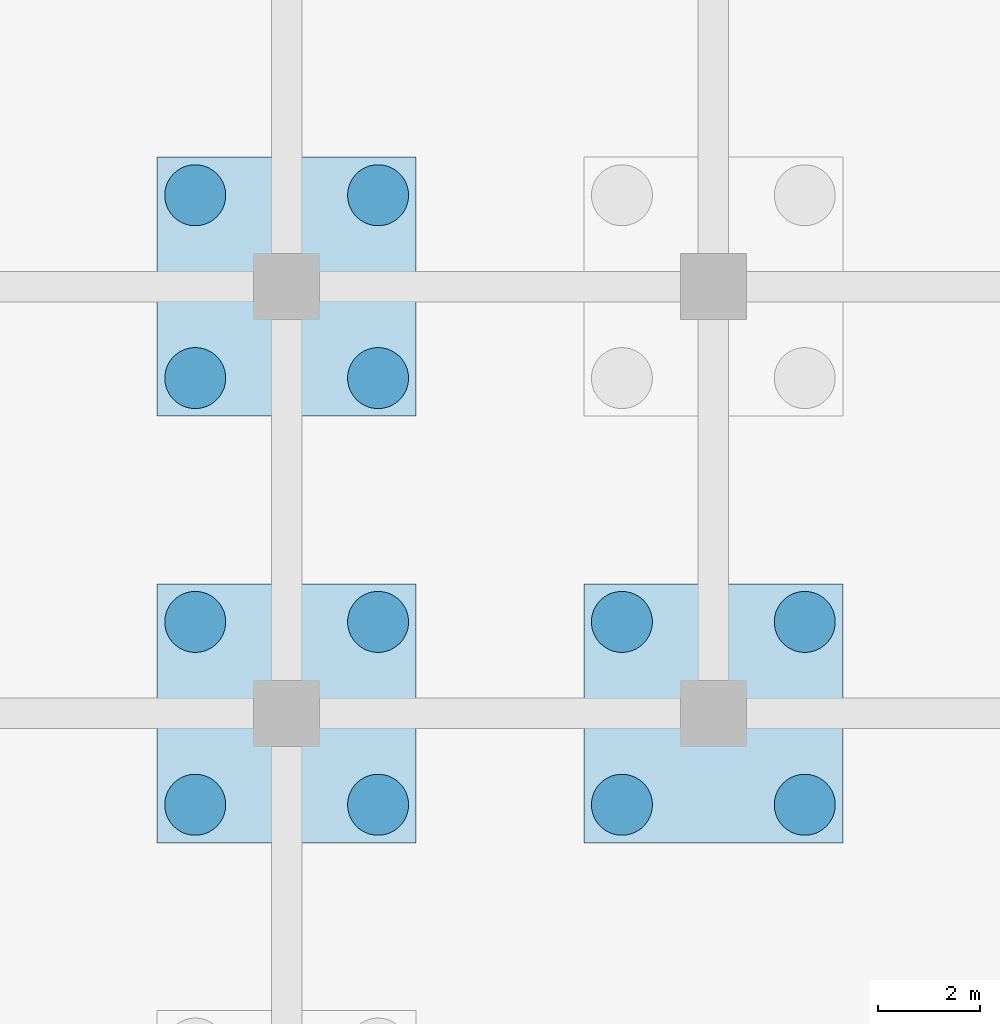
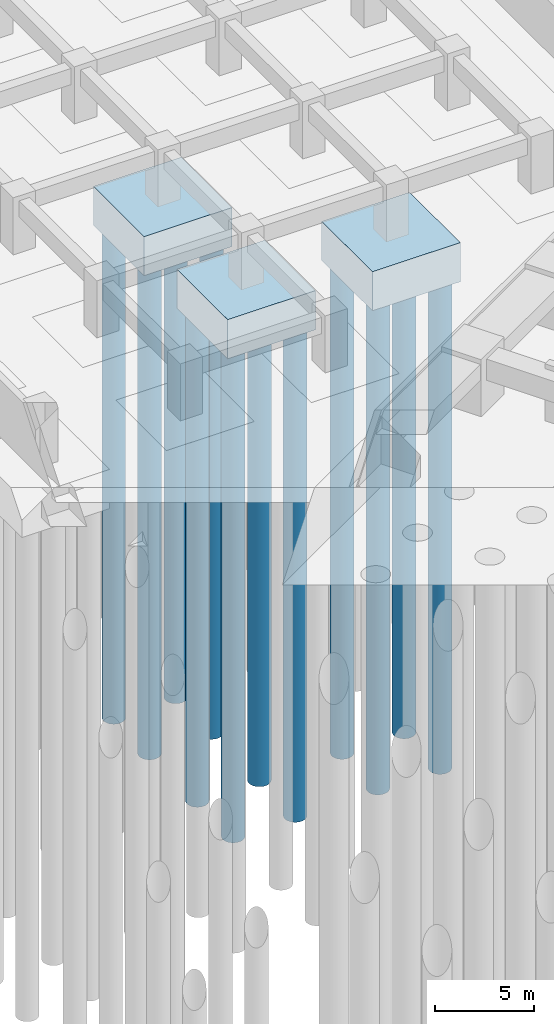
# One storey, part 14 of 73: 12 piles, 3 footings.
"""IFC4 building model written with IfcOpenShell, lengths in metres."""

from ifc_helpers import new_model, si_unit, direction, frame, origin, origin_2d, place, context, subcontext, project, spatial, polyline, circle, outline, extrude, material, material_profile, profile_set, type_object, element, save


model = new_model("IFC4")

# Units and contexts
model_context = context("Model", 3, precision=1e-05, world=origin(), true_north=direction((0.0, 1.0)))
body_context = subcontext(model_context, "Body", "Model", "MODEL_VIEW")
ifc_project = project(units=[si_unit("LENGTHUNIT", "METRE"), si_unit("AREAUNIT", "SQUARE_METRE"), si_unit("VOLUMEUNIT", "CUBIC_METRE"), si_unit("PLANEANGLEUNIT", "RADIAN"), si_unit("MASSUNIT", "GRAM", prefix="KILO")], contexts=[model_context])

# Site, building, storey
site_placement = place(None, origin())
site = spatial("IfcSite", under=ifc_project, at=site_placement, CompositionType="ELEMENT")
building_placement = place(site_placement, origin())
building = spatial("IfcBuilding", under=site, at=building_placement, Name="Impinga Residences", CompositionType="ELEMENT")
storey_placement = place(building_placement, frame((0.0, 0.0, -10.5)))
storey = spatial("IfcBuildingStorey", under=building, at=storey_placement, Name="B3", CompositionType="ELEMENT", Elevation=-10.5)

# Piles
ifc_material_1 = material(Name="Concrete C35/45", Category="concrete")
ifc_material_profile = material_profile(ifc_material_1, circle(Radius=0.60009765625, at=origin_2d()), Name="D1200")
ifc_profile_set = profile_set([ifc_material_profile], Name="Concrete C35/45")
pile_type = type_object("IfcPileType", Name="BP2 bored pile D1200", PredefinedType="BORED", material=ifc_profile_set)
pile_1_placement = place(storey_placement, frame((-35.39990234375, 6.60009765625, -2.39990234375), z_axis=(0.0, 0.0, -1.0), x_axis=(1.0, 0.0, 0.0)))
element("IfcPile", 1, at=pile_1_placement, inside=storey, type_object=pile_type, Name="Cap pile BP2 3/G-1", PredefinedType="BORED", context=body_context, shape_type="SweptSolid", body=[
    extrude(outline(polyline([(0.60009765625, 0.0), (0.59716796875, 0.058837890625), (0.58837890625, 0.116943359375), (0.57421875, 0.174072265625), (0.554443359375, 0.2294921875), (0.529052734375, 0.282958984375), (0.498779296875, 0.333251953125), (0.4638671875, 0.380615234375), (0.42431640625, 0.42431640625), (0.380615234375, 0.4638671875), (0.333251953125, 0.498779296875), (0.282958984375, 0.529052734375), (0.2294921875, 0.554443359375), (0.174072265625, 0.57421875), (0.116943359375, 0.58837890625), (0.058837890625, 0.59716796875), (0.0, 0.60009765625), (-0.058837890625, 0.59716796875), (-0.116943359375, 0.58837890625), (-0.174072265625, 0.57421875), (-0.2294921875, 0.554443359375), (-0.282958984375, 0.529052734375), (-0.333251953125, 0.498779296875), (-0.380615234375, 0.4638671875), (-0.42431640625, 0.42431640625), (-0.4638671875, 0.380615234375), (-0.498779296875, 0.333251953125), (-0.529052734375, 0.282958984375), (-0.554443359375, 0.2294921875), (-0.57421875, 0.174072265625), (-0.58837890625, 0.116943359375), (-0.59716796875, 0.058837890625), (-0.60009765625, 0.0), (-0.59716796875, -0.058837890625), (-0.58837890625, -0.116943359375), (-0.57421875, -0.174072265625), (-0.554443359375, -0.2294921875), (-0.529052734375, -0.282958984375), (-0.498779296875, -0.333251953125), (-0.4638671875, -0.380615234375), (-0.42431640625, -0.42431640625), (-0.380615234375, -0.4638671875), (-0.333251953125, -0.498779296875), (-0.282958984375, -0.529052734375), (-0.2294921875, -0.554443359375), (-0.174072265625, -0.57421875), (-0.116943359375, -0.58837890625), (-0.058837890625, -0.59716796875), (0.0, -0.60009765625), (0.058837890625, -0.59716796875), (0.116943359375, -0.58837890625), (0.174072265625, -0.57421875), (0.2294921875, -0.554443359375), (0.282958984375, -0.529052734375), (0.333251953125, -0.498779296875), (0.380615234375, -0.4638671875), (0.42431640625, -0.42431640625), (0.4638671875, -0.380615234375), (0.498779296875, -0.333251953125), (0.529052734375, -0.282958984375), (0.554443359375, -0.2294921875), (0.57421875, -0.174072265625), (0.58837890625, -0.116943359375), (0.59716796875, -0.058837890625), (0.60009765625, 0.0)])), origin(), (0.0, 0.0, 1.0), 30.0),
])
pile_2_placement = place(storey_placement, frame((-31.800048828125, 6.60009765625, -2.39990234375), z_axis=(0.0, 0.0, -1.0), x_axis=(1.0, 0.0, 0.0)))
element("IfcPile", 2, at=pile_2_placement, inside=storey, type_object=pile_type, Name="Cap pile BP2 3/G-2", PredefinedType="BORED", context=body_context, shape_type="SweptSolid", body=[
    extrude(outline(polyline([(0.60009765625, 0.0), (0.59716796875, 0.058837890625), (0.58837890625, 0.116943359375), (0.57421875, 0.174072265625), (0.554443359375, 0.2294921875), (0.529052734375, 0.282958984375), (0.498779296875, 0.333251953125), (0.4638671875, 0.380615234375), (0.42431640625, 0.42431640625), (0.380615234375, 0.4638671875), (0.333251953125, 0.498779296875), (0.282958984375, 0.529052734375), (0.2294921875, 0.554443359375), (0.174072265625, 0.57421875), (0.116943359375, 0.58837890625), (0.058837890625, 0.59716796875), (0.0, 0.60009765625), (-0.058837890625, 0.59716796875), (-0.116943359375, 0.58837890625), (-0.174072265625, 0.57421875), (-0.2294921875, 0.554443359375), (-0.282958984375, 0.529052734375), (-0.333251953125, 0.498779296875), (-0.380615234375, 0.4638671875), (-0.42431640625, 0.42431640625), (-0.4638671875, 0.380615234375), (-0.498779296875, 0.333251953125), (-0.529052734375, 0.282958984375), (-0.554443359375, 0.2294921875), (-0.57421875, 0.174072265625), (-0.58837890625, 0.116943359375), (-0.59716796875, 0.058837890625), (-0.60009765625, 0.0), (-0.59716796875, -0.058837890625), (-0.58837890625, -0.116943359375), (-0.57421875, -0.174072265625), (-0.554443359375, -0.2294921875), (-0.529052734375, -0.282958984375), (-0.498779296875, -0.333251953125), (-0.4638671875, -0.380615234375), (-0.42431640625, -0.42431640625), (-0.380615234375, -0.4638671875), (-0.333251953125, -0.498779296875), (-0.282958984375, -0.529052734375), (-0.2294921875, -0.554443359375), (-0.174072265625, -0.57421875), (-0.116943359375, -0.58837890625), (-0.058837890625, -0.59716796875), (0.0, -0.60009765625), (0.058837890625, -0.59716796875), (0.116943359375, -0.58837890625), (0.174072265625, -0.57421875), (0.2294921875, -0.554443359375), (0.282958984375, -0.529052734375), (0.333251953125, -0.498779296875), (0.380615234375, -0.4638671875), (0.42431640625, -0.42431640625), (0.4638671875, -0.380615234375), (0.498779296875, -0.333251953125), (0.529052734375, -0.282958984375), (0.554443359375, -0.2294921875), (0.57421875, -0.174072265625), (0.58837890625, -0.116943359375), (0.59716796875, -0.058837890625), (0.60009765625, 0.0)])), origin(), (0.0, 0.0, 1.0), 30.0),
])
pile_3_placement = place(storey_placement, frame((-31.800048828125, 10.199951171875, -2.39990234375), z_axis=(0.0, 0.0, -1.0), x_axis=(1.0, 0.0, 0.0)))
element("IfcPile", 3, at=pile_3_placement, inside=storey, type_object=pile_type, Name="Cap pile BP2 3/G-3", PredefinedType="BORED", context=body_context, shape_type="SweptSolid", body=[
    extrude(outline(polyline([(0.60009765625, 0.0), (0.59716796875, 0.058837890625), (0.58837890625, 0.116943359375), (0.57421875, 0.174072265625), (0.554443359375, 0.2294921875), (0.529052734375, 0.282958984375), (0.498779296875, 0.333251953125), (0.4638671875, 0.380615234375), (0.42431640625, 0.42431640625), (0.380615234375, 0.4638671875), (0.333251953125, 0.498779296875), (0.282958984375, 0.529052734375), (0.2294921875, 0.554443359375), (0.174072265625, 0.57421875), (0.116943359375, 0.58837890625), (0.058837890625, 0.59716796875), (0.0, 0.60009765625), (-0.058837890625, 0.59716796875), (-0.116943359375, 0.58837890625), (-0.174072265625, 0.57421875), (-0.2294921875, 0.554443359375), (-0.282958984375, 0.529052734375), (-0.333251953125, 0.498779296875), (-0.380615234375, 0.4638671875), (-0.42431640625, 0.42431640625), (-0.4638671875, 0.380615234375), (-0.498779296875, 0.333251953125), (-0.529052734375, 0.282958984375), (-0.554443359375, 0.2294921875), (-0.57421875, 0.174072265625), (-0.58837890625, 0.116943359375), (-0.59716796875, 0.058837890625), (-0.60009765625, 0.0), (-0.59716796875, -0.058837890625), (-0.58837890625, -0.116943359375), (-0.57421875, -0.174072265625), (-0.554443359375, -0.2294921875), (-0.529052734375, -0.282958984375), (-0.498779296875, -0.333251953125), (-0.4638671875, -0.380615234375), (-0.42431640625, -0.42431640625), (-0.380615234375, -0.4638671875), (-0.333251953125, -0.498779296875), (-0.282958984375, -0.529052734375), (-0.2294921875, -0.554443359375), (-0.174072265625, -0.57421875), (-0.116943359375, -0.58837890625), (-0.058837890625, -0.59716796875), (0.0, -0.60009765625), (0.058837890625, -0.59716796875), (0.116943359375, -0.58837890625), (0.174072265625, -0.57421875), (0.2294921875, -0.554443359375), (0.282958984375, -0.529052734375), (0.333251953125, -0.498779296875), (0.380615234375, -0.4638671875), (0.42431640625, -0.42431640625), (0.4638671875, -0.380615234375), (0.498779296875, -0.333251953125), (0.529052734375, -0.282958984375), (0.554443359375, -0.2294921875), (0.57421875, -0.174072265625), (0.58837890625, -0.116943359375), (0.59716796875, -0.058837890625), (0.60009765625, 0.0)])), origin(), (0.0, 0.0, 1.0), 30.0),
])
pile_4_placement = place(storey_placement, frame((-35.39990234375, 10.199951171875, -2.39990234375), z_axis=(0.0, 0.0, -1.0), x_axis=(1.0, 0.0, 0.0)))
element("IfcPile", 4, at=pile_4_placement, inside=storey, type_object=pile_type, Name="Cap pile BP2 3/G-4", PredefinedType="BORED", context=body_context, shape_type="SweptSolid", body=[
    extrude(outline(polyline([(0.60009765625, 0.0), (0.59716796875, 0.058837890625), (0.58837890625, 0.116943359375), (0.57421875, 0.174072265625), (0.554443359375, 0.2294921875), (0.529052734375, 0.282958984375), (0.498779296875, 0.333251953125), (0.4638671875, 0.380615234375), (0.42431640625, 0.42431640625), (0.380615234375, 0.4638671875), (0.333251953125, 0.498779296875), (0.282958984375, 0.529052734375), (0.2294921875, 0.554443359375), (0.174072265625, 0.57421875), (0.116943359375, 0.58837890625), (0.058837890625, 0.59716796875), (0.0, 0.60009765625), (-0.058837890625, 0.59716796875), (-0.116943359375, 0.58837890625), (-0.174072265625, 0.57421875), (-0.2294921875, 0.554443359375), (-0.282958984375, 0.529052734375), (-0.333251953125, 0.498779296875), (-0.380615234375, 0.4638671875), (-0.42431640625, 0.42431640625), (-0.4638671875, 0.380615234375), (-0.498779296875, 0.333251953125), (-0.529052734375, 0.282958984375), (-0.554443359375, 0.2294921875), (-0.57421875, 0.174072265625), (-0.58837890625, 0.116943359375), (-0.59716796875, 0.058837890625), (-0.60009765625, 0.0), (-0.59716796875, -0.058837890625), (-0.58837890625, -0.116943359375), (-0.57421875, -0.174072265625), (-0.554443359375, -0.2294921875), (-0.529052734375, -0.282958984375), (-0.498779296875, -0.333251953125), (-0.4638671875, -0.380615234375), (-0.42431640625, -0.42431640625), (-0.380615234375, -0.4638671875), (-0.333251953125, -0.498779296875), (-0.282958984375, -0.529052734375), (-0.2294921875, -0.554443359375), (-0.174072265625, -0.57421875), (-0.116943359375, -0.58837890625), (-0.058837890625, -0.59716796875), (0.0, -0.60009765625), (0.058837890625, -0.59716796875), (0.116943359375, -0.58837890625), (0.174072265625, -0.57421875), (0.2294921875, -0.554443359375), (0.282958984375, -0.529052734375), (0.333251953125, -0.498779296875), (0.380615234375, -0.4638671875), (0.42431640625, -0.42431640625), (0.4638671875, -0.380615234375), (0.498779296875, -0.333251953125), (0.529052734375, -0.282958984375), (0.554443359375, -0.2294921875), (0.57421875, -0.174072265625), (0.58837890625, -0.116943359375), (0.59716796875, -0.058837890625), (0.60009765625, 0.0)])), origin(), (0.0, 0.0, 1.0), 30.0),
])
pile_5_placement = place(storey_placement, frame((-35.39990234375, 15.0, -2.39990234375), z_axis=(0.0, 0.0, -1.0), x_axis=(1.0, 0.0, 0.0)))
element("IfcPile", 5, at=pile_5_placement, inside=storey, type_object=pile_type, Name="Cap pile BP2 3/H-1", PredefinedType="BORED", context=body_context, shape_type="SweptSolid", body=[
    extrude(outline(polyline([(0.60009765625, 0.0), (0.59716796875, 0.058837890625), (0.58837890625, 0.116943359375), (0.57421875, 0.174072265625), (0.554443359375, 0.2294921875), (0.529052734375, 0.282958984375), (0.498779296875, 0.333251953125), (0.4638671875, 0.380615234375), (0.42431640625, 0.42431640625), (0.380615234375, 0.4638671875), (0.333251953125, 0.498779296875), (0.282958984375, 0.529052734375), (0.2294921875, 0.554443359375), (0.174072265625, 0.57421875), (0.116943359375, 0.58837890625), (0.058837890625, 0.59716796875), (0.0, 0.60009765625), (-0.058837890625, 0.59716796875), (-0.116943359375, 0.58837890625), (-0.174072265625, 0.57421875), (-0.2294921875, 0.554443359375), (-0.282958984375, 0.529052734375), (-0.333251953125, 0.498779296875), (-0.380615234375, 0.4638671875), (-0.42431640625, 0.42431640625), (-0.4638671875, 0.380615234375), (-0.498779296875, 0.333251953125), (-0.529052734375, 0.282958984375), (-0.554443359375, 0.2294921875), (-0.57421875, 0.174072265625), (-0.58837890625, 0.116943359375), (-0.59716796875, 0.058837890625), (-0.60009765625, 0.0), (-0.59716796875, -0.058837890625), (-0.58837890625, -0.116943359375), (-0.57421875, -0.174072265625), (-0.554443359375, -0.2294921875), (-0.529052734375, -0.282958984375), (-0.498779296875, -0.333251953125), (-0.4638671875, -0.380615234375), (-0.42431640625, -0.42431640625), (-0.380615234375, -0.4638671875), (-0.333251953125, -0.498779296875), (-0.282958984375, -0.529052734375), (-0.2294921875, -0.554443359375), (-0.174072265625, -0.57421875), (-0.116943359375, -0.58837890625), (-0.058837890625, -0.59716796875), (0.0, -0.60009765625), (0.058837890625, -0.59716796875), (0.116943359375, -0.58837890625), (0.174072265625, -0.57421875), (0.2294921875, -0.554443359375), (0.282958984375, -0.529052734375), (0.333251953125, -0.498779296875), (0.380615234375, -0.4638671875), (0.42431640625, -0.42431640625), (0.4638671875, -0.380615234375), (0.498779296875, -0.333251953125), (0.529052734375, -0.282958984375), (0.554443359375, -0.2294921875), (0.57421875, -0.174072265625), (0.58837890625, -0.116943359375), (0.59716796875, -0.058837890625), (0.60009765625, 0.0)])), origin(), (0.0, 0.0, 1.0), 30.0),
])
pile_6_placement = place(storey_placement, frame((-31.800048828125, 15.0, -2.39990234375), z_axis=(0.0, 0.0, -1.0), x_axis=(1.0, 0.0, 0.0)))
element("IfcPile", 6, at=pile_6_placement, inside=storey, type_object=pile_type, Name="Cap pile BP2 3/H-2", PredefinedType="BORED", context=body_context, shape_type="SweptSolid", body=[
    extrude(outline(polyline([(0.60009765625, 0.0), (0.59716796875, 0.058837890625), (0.58837890625, 0.116943359375), (0.57421875, 0.174072265625), (0.554443359375, 0.2294921875), (0.529052734375, 0.282958984375), (0.498779296875, 0.333251953125), (0.4638671875, 0.380615234375), (0.42431640625, 0.42431640625), (0.380615234375, 0.4638671875), (0.333251953125, 0.498779296875), (0.282958984375, 0.529052734375), (0.2294921875, 0.554443359375), (0.174072265625, 0.57421875), (0.116943359375, 0.58837890625), (0.058837890625, 0.59716796875), (0.0, 0.60009765625), (-0.058837890625, 0.59716796875), (-0.116943359375, 0.58837890625), (-0.174072265625, 0.57421875), (-0.2294921875, 0.554443359375), (-0.282958984375, 0.529052734375), (-0.333251953125, 0.498779296875), (-0.380615234375, 0.4638671875), (-0.42431640625, 0.42431640625), (-0.4638671875, 0.380615234375), (-0.498779296875, 0.333251953125), (-0.529052734375, 0.282958984375), (-0.554443359375, 0.2294921875), (-0.57421875, 0.174072265625), (-0.58837890625, 0.116943359375), (-0.59716796875, 0.058837890625), (-0.60009765625, 0.0), (-0.59716796875, -0.058837890625), (-0.58837890625, -0.116943359375), (-0.57421875, -0.174072265625), (-0.554443359375, -0.2294921875), (-0.529052734375, -0.282958984375), (-0.498779296875, -0.333251953125), (-0.4638671875, -0.380615234375), (-0.42431640625, -0.42431640625), (-0.380615234375, -0.4638671875), (-0.333251953125, -0.498779296875), (-0.282958984375, -0.529052734375), (-0.2294921875, -0.554443359375), (-0.174072265625, -0.57421875), (-0.116943359375, -0.58837890625), (-0.058837890625, -0.59716796875), (0.0, -0.60009765625), (0.058837890625, -0.59716796875), (0.116943359375, -0.58837890625), (0.174072265625, -0.57421875), (0.2294921875, -0.554443359375), (0.282958984375, -0.529052734375), (0.333251953125, -0.498779296875), (0.380615234375, -0.4638671875), (0.42431640625, -0.42431640625), (0.4638671875, -0.380615234375), (0.498779296875, -0.333251953125), (0.529052734375, -0.282958984375), (0.554443359375, -0.2294921875), (0.57421875, -0.174072265625), (0.58837890625, -0.116943359375), (0.59716796875, -0.058837890625), (0.60009765625, 0.0)])), origin(), (0.0, 0.0, 1.0), 30.0),
])
pile_7_placement = place(storey_placement, frame((-31.800048828125, 18.60009765625, -2.39990234375), z_axis=(0.0, 0.0, -1.0), x_axis=(1.0, 0.0, 0.0)))
element("IfcPile", 7, at=pile_7_placement, inside=storey, type_object=pile_type, Name="Cap pile BP2 3/H-3", PredefinedType="BORED", context=body_context, shape_type="SweptSolid", body=[
    extrude(outline(polyline([(0.60009765625, 0.0), (0.59716796875, 0.058837890625), (0.58837890625, 0.116943359375), (0.57421875, 0.174072265625), (0.554443359375, 0.2294921875), (0.529052734375, 0.282958984375), (0.498779296875, 0.333251953125), (0.4638671875, 0.380615234375), (0.42431640625, 0.42431640625), (0.380615234375, 0.4638671875), (0.333251953125, 0.498779296875), (0.282958984375, 0.529052734375), (0.2294921875, 0.554443359375), (0.174072265625, 0.57421875), (0.116943359375, 0.58837890625), (0.058837890625, 0.59716796875), (0.0, 0.60009765625), (-0.058837890625, 0.59716796875), (-0.116943359375, 0.58837890625), (-0.174072265625, 0.57421875), (-0.2294921875, 0.554443359375), (-0.282958984375, 0.529052734375), (-0.333251953125, 0.498779296875), (-0.380615234375, 0.4638671875), (-0.42431640625, 0.42431640625), (-0.4638671875, 0.380615234375), (-0.498779296875, 0.333251953125), (-0.529052734375, 0.282958984375), (-0.554443359375, 0.2294921875), (-0.57421875, 0.174072265625), (-0.58837890625, 0.116943359375), (-0.59716796875, 0.058837890625), (-0.60009765625, 0.0), (-0.59716796875, -0.058837890625), (-0.58837890625, -0.116943359375), (-0.57421875, -0.174072265625), (-0.554443359375, -0.2294921875), (-0.529052734375, -0.282958984375), (-0.498779296875, -0.333251953125), (-0.4638671875, -0.380615234375), (-0.42431640625, -0.42431640625), (-0.380615234375, -0.4638671875), (-0.333251953125, -0.498779296875), (-0.282958984375, -0.529052734375), (-0.2294921875, -0.554443359375), (-0.174072265625, -0.57421875), (-0.116943359375, -0.58837890625), (-0.058837890625, -0.59716796875), (0.0, -0.60009765625), (0.058837890625, -0.59716796875), (0.116943359375, -0.58837890625), (0.174072265625, -0.57421875), (0.2294921875, -0.554443359375), (0.282958984375, -0.529052734375), (0.333251953125, -0.498779296875), (0.380615234375, -0.4638671875), (0.42431640625, -0.42431640625), (0.4638671875, -0.380615234375), (0.498779296875, -0.333251953125), (0.529052734375, -0.282958984375), (0.554443359375, -0.2294921875), (0.57421875, -0.174072265625), (0.58837890625, -0.116943359375), (0.59716796875, -0.058837890625), (0.60009765625, 0.0)])), origin(), (0.0, 0.0, 1.0), 30.0),
])
pile_8_placement = place(storey_placement, frame((-35.39990234375, 18.60009765625, -2.39990234375), z_axis=(0.0, 0.0, -1.0), x_axis=(1.0, 0.0, 0.0)))
element("IfcPile", 8, at=pile_8_placement, inside=storey, type_object=pile_type, Name="Cap pile BP2 3/H-4", PredefinedType="BORED", context=body_context, shape_type="SweptSolid", body=[
    extrude(outline(polyline([(0.60009765625, 0.0), (0.59716796875, 0.058837890625), (0.58837890625, 0.116943359375), (0.57421875, 0.174072265625), (0.554443359375, 0.2294921875), (0.529052734375, 0.282958984375), (0.498779296875, 0.333251953125), (0.4638671875, 0.380615234375), (0.42431640625, 0.42431640625), (0.380615234375, 0.4638671875), (0.333251953125, 0.498779296875), (0.282958984375, 0.529052734375), (0.2294921875, 0.554443359375), (0.174072265625, 0.57421875), (0.116943359375, 0.58837890625), (0.058837890625, 0.59716796875), (0.0, 0.60009765625), (-0.058837890625, 0.59716796875), (-0.116943359375, 0.58837890625), (-0.174072265625, 0.57421875), (-0.2294921875, 0.554443359375), (-0.282958984375, 0.529052734375), (-0.333251953125, 0.498779296875), (-0.380615234375, 0.4638671875), (-0.42431640625, 0.42431640625), (-0.4638671875, 0.380615234375), (-0.498779296875, 0.333251953125), (-0.529052734375, 0.282958984375), (-0.554443359375, 0.2294921875), (-0.57421875, 0.174072265625), (-0.58837890625, 0.116943359375), (-0.59716796875, 0.058837890625), (-0.60009765625, 0.0), (-0.59716796875, -0.058837890625), (-0.58837890625, -0.116943359375), (-0.57421875, -0.174072265625), (-0.554443359375, -0.2294921875), (-0.529052734375, -0.282958984375), (-0.498779296875, -0.333251953125), (-0.4638671875, -0.380615234375), (-0.42431640625, -0.42431640625), (-0.380615234375, -0.4638671875), (-0.333251953125, -0.498779296875), (-0.282958984375, -0.529052734375), (-0.2294921875, -0.554443359375), (-0.174072265625, -0.57421875), (-0.116943359375, -0.58837890625), (-0.058837890625, -0.59716796875), (0.0, -0.60009765625), (0.058837890625, -0.59716796875), (0.116943359375, -0.58837890625), (0.174072265625, -0.57421875), (0.2294921875, -0.554443359375), (0.282958984375, -0.529052734375), (0.333251953125, -0.498779296875), (0.380615234375, -0.4638671875), (0.42431640625, -0.42431640625), (0.4638671875, -0.380615234375), (0.498779296875, -0.333251953125), (0.529052734375, -0.282958984375), (0.554443359375, -0.2294921875), (0.57421875, -0.174072265625), (0.58837890625, -0.116943359375), (0.59716796875, -0.058837890625), (0.60009765625, 0.0)])), origin(), (0.0, 0.0, 1.0), 30.0),
])
pile_9_placement = place(storey_placement, frame((-27.0, 6.60009765625, -2.39990234375), z_axis=(0.0, 0.0, -1.0), x_axis=(1.0, 0.0, 0.0)))
element("IfcPile", 9, at=pile_9_placement, inside=storey, type_object=pile_type, Name="Cap pile BP2 4/G-1", PredefinedType="BORED", context=body_context, shape_type="SweptSolid", body=[
    extrude(outline(polyline([(0.60009765625, 0.0), (0.59716796875, 0.058837890625), (0.58837890625, 0.116943359375), (0.57421875, 0.174072265625), (0.554443359375, 0.2294921875), (0.529052734375, 0.282958984375), (0.498779296875, 0.333251953125), (0.4638671875, 0.380615234375), (0.42431640625, 0.42431640625), (0.380615234375, 0.4638671875), (0.333251953125, 0.498779296875), (0.282958984375, 0.529052734375), (0.2294921875, 0.554443359375), (0.174072265625, 0.57421875), (0.116943359375, 0.58837890625), (0.058837890625, 0.59716796875), (0.0, 0.60009765625), (-0.058837890625, 0.59716796875), (-0.116943359375, 0.58837890625), (-0.174072265625, 0.57421875), (-0.2294921875, 0.554443359375), (-0.282958984375, 0.529052734375), (-0.333251953125, 0.498779296875), (-0.380615234375, 0.4638671875), (-0.42431640625, 0.42431640625), (-0.4638671875, 0.380615234375), (-0.498779296875, 0.333251953125), (-0.529052734375, 0.282958984375), (-0.554443359375, 0.2294921875), (-0.57421875, 0.174072265625), (-0.58837890625, 0.116943359375), (-0.59716796875, 0.058837890625), (-0.60009765625, 0.0), (-0.59716796875, -0.058837890625), (-0.58837890625, -0.116943359375), (-0.57421875, -0.174072265625), (-0.554443359375, -0.2294921875), (-0.529052734375, -0.282958984375), (-0.498779296875, -0.333251953125), (-0.4638671875, -0.380615234375), (-0.42431640625, -0.42431640625), (-0.380615234375, -0.4638671875), (-0.333251953125, -0.498779296875), (-0.282958984375, -0.529052734375), (-0.2294921875, -0.554443359375), (-0.174072265625, -0.57421875), (-0.116943359375, -0.58837890625), (-0.058837890625, -0.59716796875), (0.0, -0.60009765625), (0.058837890625, -0.59716796875), (0.116943359375, -0.58837890625), (0.174072265625, -0.57421875), (0.2294921875, -0.554443359375), (0.282958984375, -0.529052734375), (0.333251953125, -0.498779296875), (0.380615234375, -0.4638671875), (0.42431640625, -0.42431640625), (0.4638671875, -0.380615234375), (0.498779296875, -0.333251953125), (0.529052734375, -0.282958984375), (0.554443359375, -0.2294921875), (0.57421875, -0.174072265625), (0.58837890625, -0.116943359375), (0.59716796875, -0.058837890625), (0.60009765625, 0.0)])), origin(), (0.0, 0.0, 1.0), 30.0),
])
pile_10_placement = place(storey_placement, frame((-23.39990234375, 6.60009765625, -2.39990234375), z_axis=(0.0, 0.0, -1.0), x_axis=(1.0, 0.0, 0.0)))
element("IfcPile", 10, at=pile_10_placement, inside=storey, type_object=pile_type, Name="Cap pile BP2 4/G-2", PredefinedType="BORED", context=body_context, shape_type="SweptSolid", body=[
    extrude(outline(polyline([(0.60009765625, 0.0), (0.59716796875, 0.058837890625), (0.58837890625, 0.116943359375), (0.57421875, 0.174072265625), (0.554443359375, 0.2294921875), (0.529052734375, 0.282958984375), (0.498779296875, 0.333251953125), (0.4638671875, 0.380615234375), (0.42431640625, 0.42431640625), (0.380615234375, 0.4638671875), (0.333251953125, 0.498779296875), (0.282958984375, 0.529052734375), (0.2294921875, 0.554443359375), (0.174072265625, 0.57421875), (0.116943359375, 0.58837890625), (0.058837890625, 0.59716796875), (0.0, 0.60009765625), (-0.058837890625, 0.59716796875), (-0.116943359375, 0.58837890625), (-0.174072265625, 0.57421875), (-0.2294921875, 0.554443359375), (-0.282958984375, 0.529052734375), (-0.333251953125, 0.498779296875), (-0.380615234375, 0.4638671875), (-0.42431640625, 0.42431640625), (-0.4638671875, 0.380615234375), (-0.498779296875, 0.333251953125), (-0.529052734375, 0.282958984375), (-0.554443359375, 0.2294921875), (-0.57421875, 0.174072265625), (-0.58837890625, 0.116943359375), (-0.59716796875, 0.058837890625), (-0.60009765625, 0.0), (-0.59716796875, -0.058837890625), (-0.58837890625, -0.116943359375), (-0.57421875, -0.174072265625), (-0.554443359375, -0.2294921875), (-0.529052734375, -0.282958984375), (-0.498779296875, -0.333251953125), (-0.4638671875, -0.380615234375), (-0.42431640625, -0.42431640625), (-0.380615234375, -0.4638671875), (-0.333251953125, -0.498779296875), (-0.282958984375, -0.529052734375), (-0.2294921875, -0.554443359375), (-0.174072265625, -0.57421875), (-0.116943359375, -0.58837890625), (-0.058837890625, -0.59716796875), (0.0, -0.60009765625), (0.058837890625, -0.59716796875), (0.116943359375, -0.58837890625), (0.174072265625, -0.57421875), (0.2294921875, -0.554443359375), (0.282958984375, -0.529052734375), (0.333251953125, -0.498779296875), (0.380615234375, -0.4638671875), (0.42431640625, -0.42431640625), (0.4638671875, -0.380615234375), (0.498779296875, -0.333251953125), (0.529052734375, -0.282958984375), (0.554443359375, -0.2294921875), (0.57421875, -0.174072265625), (0.58837890625, -0.116943359375), (0.59716796875, -0.058837890625), (0.60009765625, 0.0)])), origin(), (0.0, 0.0, 1.0), 30.0),
])
pile_11_placement = place(storey_placement, frame((-23.39990234375, 10.199951171875, -2.39990234375), z_axis=(0.0, 0.0, -1.0), x_axis=(1.0, 0.0, 0.0)))
element("IfcPile", 11, at=pile_11_placement, inside=storey, type_object=pile_type, Name="Cap pile BP2 4/G-3", PredefinedType="BORED", context=body_context, shape_type="SweptSolid", body=[
    extrude(outline(polyline([(0.60009765625, 0.0), (0.59716796875, 0.058837890625), (0.58837890625, 0.116943359375), (0.57421875, 0.174072265625), (0.554443359375, 0.2294921875), (0.529052734375, 0.282958984375), (0.498779296875, 0.333251953125), (0.4638671875, 0.380615234375), (0.42431640625, 0.42431640625), (0.380615234375, 0.4638671875), (0.333251953125, 0.498779296875), (0.282958984375, 0.529052734375), (0.2294921875, 0.554443359375), (0.174072265625, 0.57421875), (0.116943359375, 0.58837890625), (0.058837890625, 0.59716796875), (0.0, 0.60009765625), (-0.058837890625, 0.59716796875), (-0.116943359375, 0.58837890625), (-0.174072265625, 0.57421875), (-0.2294921875, 0.554443359375), (-0.282958984375, 0.529052734375), (-0.333251953125, 0.498779296875), (-0.380615234375, 0.4638671875), (-0.42431640625, 0.42431640625), (-0.4638671875, 0.380615234375), (-0.498779296875, 0.333251953125), (-0.529052734375, 0.282958984375), (-0.554443359375, 0.2294921875), (-0.57421875, 0.174072265625), (-0.58837890625, 0.116943359375), (-0.59716796875, 0.058837890625), (-0.60009765625, 0.0), (-0.59716796875, -0.058837890625), (-0.58837890625, -0.116943359375), (-0.57421875, -0.174072265625), (-0.554443359375, -0.2294921875), (-0.529052734375, -0.282958984375), (-0.498779296875, -0.333251953125), (-0.4638671875, -0.380615234375), (-0.42431640625, -0.42431640625), (-0.380615234375, -0.4638671875), (-0.333251953125, -0.498779296875), (-0.282958984375, -0.529052734375), (-0.2294921875, -0.554443359375), (-0.174072265625, -0.57421875), (-0.116943359375, -0.58837890625), (-0.058837890625, -0.59716796875), (0.0, -0.60009765625), (0.058837890625, -0.59716796875), (0.116943359375, -0.58837890625), (0.174072265625, -0.57421875), (0.2294921875, -0.554443359375), (0.282958984375, -0.529052734375), (0.333251953125, -0.498779296875), (0.380615234375, -0.4638671875), (0.42431640625, -0.42431640625), (0.4638671875, -0.380615234375), (0.498779296875, -0.333251953125), (0.529052734375, -0.282958984375), (0.554443359375, -0.2294921875), (0.57421875, -0.174072265625), (0.58837890625, -0.116943359375), (0.59716796875, -0.058837890625), (0.60009765625, 0.0)])), origin(), (0.0, 0.0, 1.0), 30.0),
])
pile_12_placement = place(storey_placement, frame((-27.0, 10.199951171875, -2.39990234375), z_axis=(0.0, 0.0, -1.0), x_axis=(1.0, 0.0, 0.0)))
element("IfcPile", 12, at=pile_12_placement, inside=storey, type_object=pile_type, Name="Cap pile BP2 4/G-4", PredefinedType="BORED", context=body_context, shape_type="SweptSolid", body=[
    extrude(outline(polyline([(0.60009765625, 0.0), (0.59716796875, 0.058837890625), (0.58837890625, 0.116943359375), (0.57421875, 0.174072265625), (0.554443359375, 0.2294921875), (0.529052734375, 0.282958984375), (0.498779296875, 0.333251953125), (0.4638671875, 0.380615234375), (0.42431640625, 0.42431640625), (0.380615234375, 0.4638671875), (0.333251953125, 0.498779296875), (0.282958984375, 0.529052734375), (0.2294921875, 0.554443359375), (0.174072265625, 0.57421875), (0.116943359375, 0.58837890625), (0.058837890625, 0.59716796875), (0.0, 0.60009765625), (-0.058837890625, 0.59716796875), (-0.116943359375, 0.58837890625), (-0.174072265625, 0.57421875), (-0.2294921875, 0.554443359375), (-0.282958984375, 0.529052734375), (-0.333251953125, 0.498779296875), (-0.380615234375, 0.4638671875), (-0.42431640625, 0.42431640625), (-0.4638671875, 0.380615234375), (-0.498779296875, 0.333251953125), (-0.529052734375, 0.282958984375), (-0.554443359375, 0.2294921875), (-0.57421875, 0.174072265625), (-0.58837890625, 0.116943359375), (-0.59716796875, 0.058837890625), (-0.60009765625, 0.0), (-0.59716796875, -0.058837890625), (-0.58837890625, -0.116943359375), (-0.57421875, -0.174072265625), (-0.554443359375, -0.2294921875), (-0.529052734375, -0.282958984375), (-0.498779296875, -0.333251953125), (-0.4638671875, -0.380615234375), (-0.42431640625, -0.42431640625), (-0.380615234375, -0.4638671875), (-0.333251953125, -0.498779296875), (-0.282958984375, -0.529052734375), (-0.2294921875, -0.554443359375), (-0.174072265625, -0.57421875), (-0.116943359375, -0.58837890625), (-0.058837890625, -0.59716796875), (0.0, -0.60009765625), (0.058837890625, -0.59716796875), (0.116943359375, -0.58837890625), (0.174072265625, -0.57421875), (0.2294921875, -0.554443359375), (0.282958984375, -0.529052734375), (0.333251953125, -0.498779296875), (0.380615234375, -0.4638671875), (0.42431640625, -0.42431640625), (0.4638671875, -0.380615234375), (0.498779296875, -0.333251953125), (0.529052734375, -0.282958984375), (0.554443359375, -0.2294921875), (0.57421875, -0.174072265625), (0.58837890625, -0.116943359375), (0.59716796875, -0.058837890625), (0.60009765625, 0.0)])), origin(), (0.0, 0.0, 1.0), 30.0),
])

# Footings
ifc_material_2 = material(Name="Concrete C45/55", Category="concrete")
footing_type = type_object("IfcFootingType", Name="PC4 four-pile cap 5100 square 2400 deep", PredefinedType="PILE_CAP", material=ifc_material_2)
footing_1_placement = place(storey_placement, frame((0.0, 0.0, -2.39990234375)))
element("IfcFooting", 13, at=footing_1_placement, inside=storey, type_object=footing_type, Name="Pile cap PC4 3/G", PredefinedType="PILE_CAP", context=body_context, shape_type="SweptSolid", body=[
    extrude(outline(polyline([(-31.050048828125, 5.85009765625), (-31.050048828125, 10.949951171875), (-36.14990234375, 10.949951171875), (-36.14990234375, 5.85009765625), (-31.050048828125, 5.85009765625)])), origin(), (0.0, 0.0, 1.0), 2.39990234375),
])
footing_2_placement = place(storey_placement, frame((0.0, 0.0, -2.39990234375)))
element("IfcFooting", 14, at=footing_2_placement, inside=storey, type_object=footing_type, Name="Pile cap PC4 3/H", PredefinedType="PILE_CAP", context=body_context, shape_type="SweptSolid", body=[
    extrude(outline(polyline([(-31.050048828125, 14.25), (-31.050048828125, 19.35009765625), (-36.14990234375, 19.35009765625), (-36.14990234375, 14.25), (-31.050048828125, 14.25)])), origin(), (0.0, 0.0, 1.0), 2.39990234375),
])
footing_3_placement = place(storey_placement, frame((0.0, 0.0, -2.39990234375)))
element("IfcFooting", 15, at=footing_3_placement, inside=storey, type_object=footing_type, Name="Pile cap PC4 4/G", PredefinedType="PILE_CAP", context=body_context, shape_type="SweptSolid", body=[
    extrude(outline(polyline([(-22.64990234375, 5.85009765625), (-22.64990234375, 10.949951171875), (-27.75, 10.949951171875), (-27.75, 5.85009765625), (-22.64990234375, 5.85009765625)])), origin(), (0.0, 0.0, 1.0), 2.39990234375),
])

save(model, "model.ifc")
